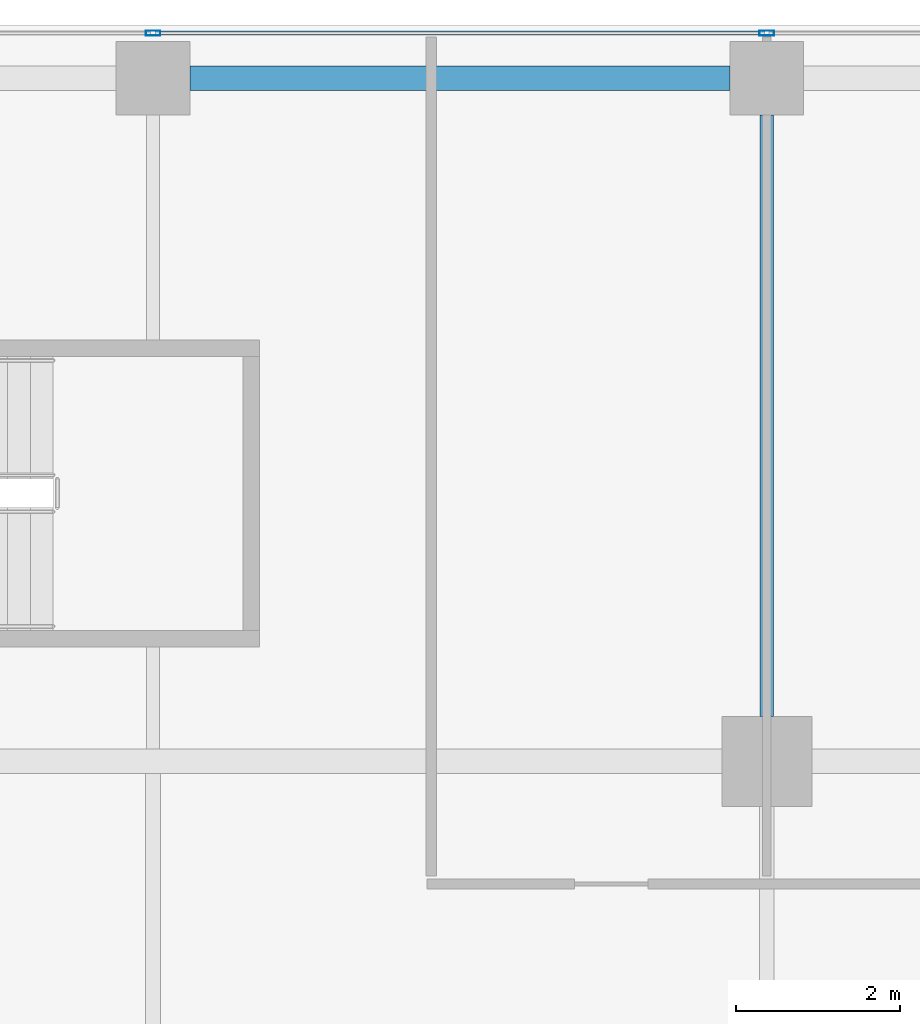
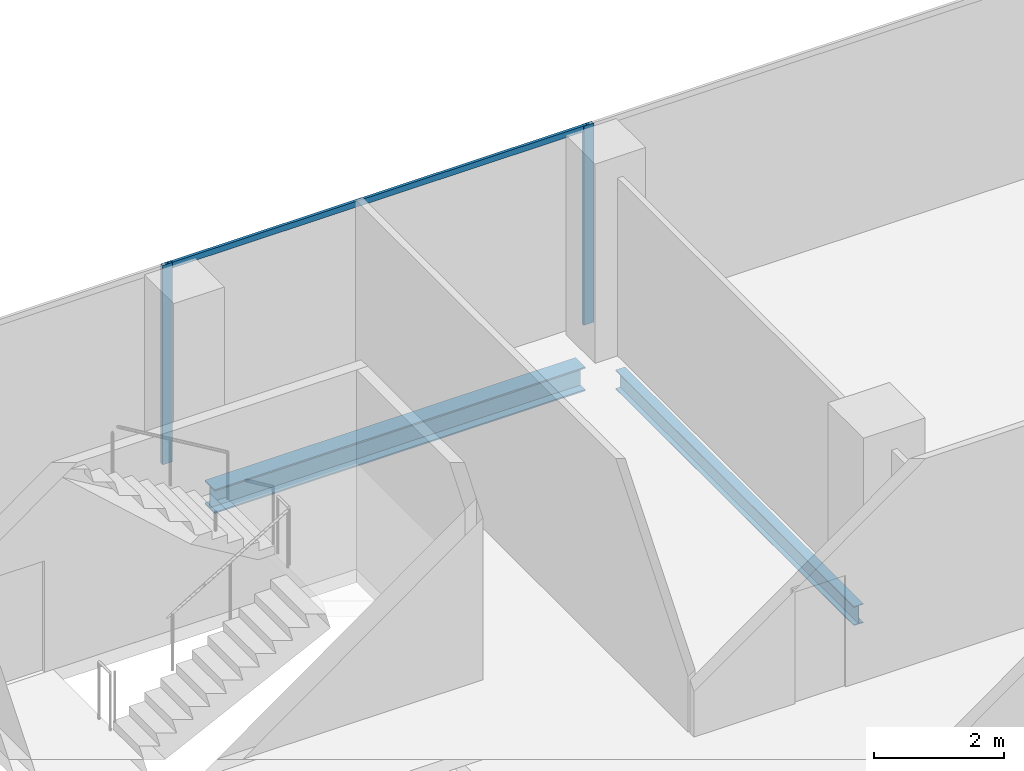
# One storey, part 21 of 36: 3 members, 2 beams, 1 element without a shape of its own.
"""IFC4 building model written with IfcOpenShell, lengths in metres."""

from ifc_helpers import new_model, si_unit, direction, frame, origin, origin_2d, place, context, subcontext, project, spatial, hollow_rectangle, i_section, extrude, source, transform, mapped, material, material_profile, profile_set, type_object, element, aggregate, save


model = new_model("IFC4")

# Units and contexts
model_context = context("Model", 3, precision=1e-05, world=origin(), true_north=direction((0.0, 1.0)))
body_context = subcontext(model_context, "Body", "Model", "MODEL_VIEW")
ifc_project = project(units=[si_unit("LENGTHUNIT", "METRE"), si_unit("AREAUNIT", "SQUARE_METRE"), si_unit("VOLUMEUNIT", "CUBIC_METRE"), si_unit("PLANEANGLEUNIT", "RADIAN"), si_unit("MASSUNIT", "GRAM", prefix="KILO")], contexts=[model_context])

# Site, building, storey
site_placement = place(None, origin())
site = spatial("IfcSite", under=ifc_project, at=site_placement, CompositionType="ELEMENT")
building_placement = place(site_placement, origin())
building = spatial("IfcBuilding", under=site, at=building_placement, Name="Khomas Fold Tower", CompositionType="ELEMENT")
storey_placement = place(building_placement, frame((0.0, 0.0, 230.199951171875)))
storey = spatial("IfcBuildingStorey", under=building, at=storey_placement, Name="L51", CompositionType="ELEMENT", Elevation=230.199951171875)

# Beams
ifc_material_1 = material(Name="Steel S355", Category="steel")
ifc_material_profile_1 = material_profile(ifc_material_1, i_section(OverallWidth=0.300048828125, OverallDepth=0.449951171875, WebThickness=0.013916015625, FlangeThickness=0.02587890625, at=origin_2d()), Name="HE 450 B")
ifc_profile_set_1 = profile_set([ifc_material_profile_1], Name="Steel S355")
beam_type_1 = type_object("IfcBeamType", Name="HE 450 B spandrel SB4", PredefinedType="SPANDREL", material=ifc_profile_set_1)
shared_shape_1 = source(origin(), body_context, "Body", "SweptSolid", [
    extrude(i_section(OverallWidth=0.300048828125, OverallDepth=0.449951171875, WebThickness=0.013916015625, FlangeThickness=0.02587890625, at=origin_2d()), origin(), (0.0, 0.0, 1.0), 6.60009765625),
])
beam_1_placement = place(storey_placement, frame((27.449951171875, 48.85009765625, -0.474853515625), z_axis=(1.0, 0.0, 0.0), x_axis=(0.0, 1.0, 0.0)))
element("IfcBeam", 1, at=beam_1_placement, inside=storey, type_object=beam_type_1, Name="SB4", PredefinedType="SPANDREL", context=body_context, shape_type="MappedRepresentation", body=[
    mapped(shared_shape_1, transform((0.0, 0.0, 0.0))),
])
ifc_material_2 = material(Name="Steel S355", Category="steel")
ifc_material_profile_2 = material_profile(ifc_material_2, i_section(OverallWidth=0.169921875, OverallDepth=0.360107421875, WebThickness=0.008056640625, FlangeThickness=0.0126953125, at=origin_2d()), Name="IPE 360")
ifc_profile_set_2 = profile_set([ifc_material_profile_2], Name="Steel S355")
beam_type_2 = type_object("IfcBeamType", Name="IPE 360 beam JB2", PredefinedType="BEAM", material=ifc_profile_set_2)
shared_shape_2 = source(origin(), body_context, "Body", "SweptSolid", [
    extrude(i_section(OverallWidth=0.169921875, OverallDepth=0.360107421875, WebThickness=0.008056640625, FlangeThickness=0.0126953125, at=origin_2d()), origin(), (0.0, 0.0, 1.0), 7.349853515625),
])
beam_2_placement = place(storey_placement, frame((34.5, 41.050048828125, -0.429931640625), z_axis=(0.0, 1.0, 0.0), x_axis=(-1.0, 0.0, 0.0)))
element("IfcBeam", 2, at=beam_2_placement, inside=storey, type_object=beam_type_2, Name="JB2", PredefinedType="BEAM", context=body_context, shape_type="MappedRepresentation", body=[
    mapped(shared_shape_2, transform((0.0, 0.0, 0.0))),
])

# Curtain wall, members
ifc_material_3 = material(Name="Aluminium framed double glazing", Category="aluminium")
curtain_wall_type = type_object("IfcCurtainWallType", Name="SK-Unitised clear-glass wall, office floors CW2", PredefinedType="NOTDEFINED", material=ifc_material_3)
curtain_wall_placement = place(storey_placement, origin())
curtain_wall = element("IfcCurtainWall", 3, at=curtain_wall_placement, inside=storey, type_object=curtain_wall_type, Name="CW2 run L51 06-0", PredefinedType="NOTDEFINED")
ifc_material_4 = material(Name="Aluminium", Category="aluminium")
ifc_material_profile_3 = material_profile(ifc_material_4, hollow_rectangle(XDim=0.06005859375, YDim=0.179931640625, WallThickness=0.00390625, at=origin_2d()), Name="SK-Unitised clear-glass wall, office floors mullion CW2-M")
ifc_profile_set_3 = profile_set([ifc_material_profile_3], Name="Aluminium")
member_type_1 = type_object("IfcMemberType", Name="SK-Unitised clear-glass wall, office floors mullion CW2-M", PredefinedType="MULLION", material=ifc_profile_set_3)
shared_shape_3 = source(origin(), body_context, "Body", "SweptSolid", [
    extrude(hollow_rectangle(XDim=0.06005859375, YDim=0.179931640625, WallThickness=0.00390625, at=origin_2d()), origin(), (0.0, 0.0, 1.0), 3.75),
])
member_1_placement = place(storey_placement, frame((34.5, 49.39990234375, 0.0), z_axis=(0.0, 0.0, 1.0), x_axis=(0.0, -1.0, 0.0)))
member_1 = element("IfcMember", 4, at=member_1_placement, type_object=member_type_1, Name="CW2 mullion 3", PredefinedType="MULLION", context=body_context, shape_type="MappedRepresentation", body=[
    mapped(shared_shape_3, transform((0.0, 0.0, 0.0))),
])
member_2_placement = place(storey_placement, frame((27.0, 49.39990234375, 0.0), z_axis=(0.0, 0.0, 1.0), x_axis=(0.0, -1.0, 0.0)))
member_2 = element("IfcMember", 5, at=member_2_placement, type_object=member_type_1, Name="CW2 mullion 4", PredefinedType="MULLION", context=body_context, shape_type="MappedRepresentation", body=[
    mapped(shared_shape_3, transform((0.0, 0.0, 0.0))),
])
ifc_material_5 = material(Name="Aluminium", Category="aluminium")
ifc_material_profile_4 = material_profile(ifc_material_5, hollow_rectangle(XDim=0.050048828125, YDim=0.110107421875, WallThickness=0.00390625, at=origin_2d()), Name="SK-Unitised clear-glass wall, office floors transom CW2-T")
ifc_profile_set_4 = profile_set([ifc_material_profile_4], Name="Aluminium")
member_type_2 = type_object("IfcMemberType", Name="SK-Unitised clear-glass wall, office floors transom CW2-T", PredefinedType="USERDEFINED", material=ifc_profile_set_4)
shared_shape_4 = source(origin(), body_context, "Body", "SweptSolid", [
    extrude(hollow_rectangle(XDim=0.050048828125, YDim=0.110107421875, WallThickness=0.00390625, at=origin_2d()), origin(), (0.0, 0.0, 1.0), 7.43994140625),
])
member_3_placement = place(storey_placement, frame((34.469970703125, 49.39990234375, 3.695068359375), z_axis=(-1.0, 0.0, 0.0), x_axis=(0.0, -1.0, 0.0)))
member_3 = element("IfcMember", 6, at=member_3_placement, type_object=member_type_2, Name="CW2 transom 3", ObjectType="TRANSOM", PredefinedType="USERDEFINED", context=body_context, shape_type="MappedRepresentation", body=[
    mapped(shared_shape_4, transform((0.0, 0.0, 0.0))),
])
aggregate(curtain_wall, [member_1, member_2, member_3])

save(model, "model.ifc")
